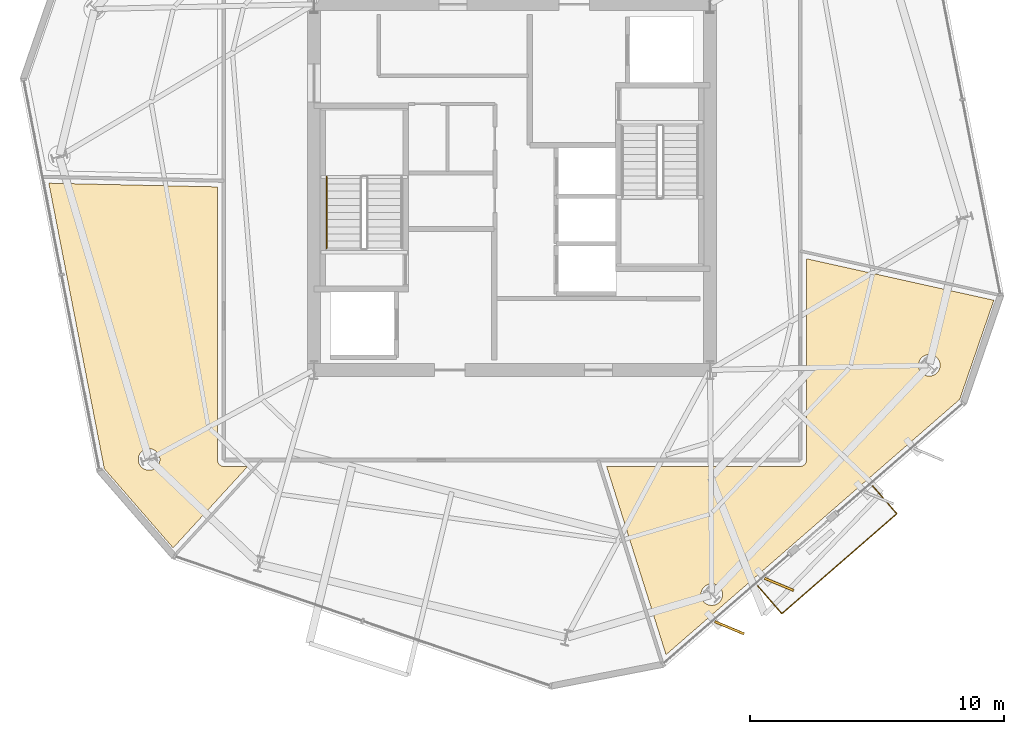
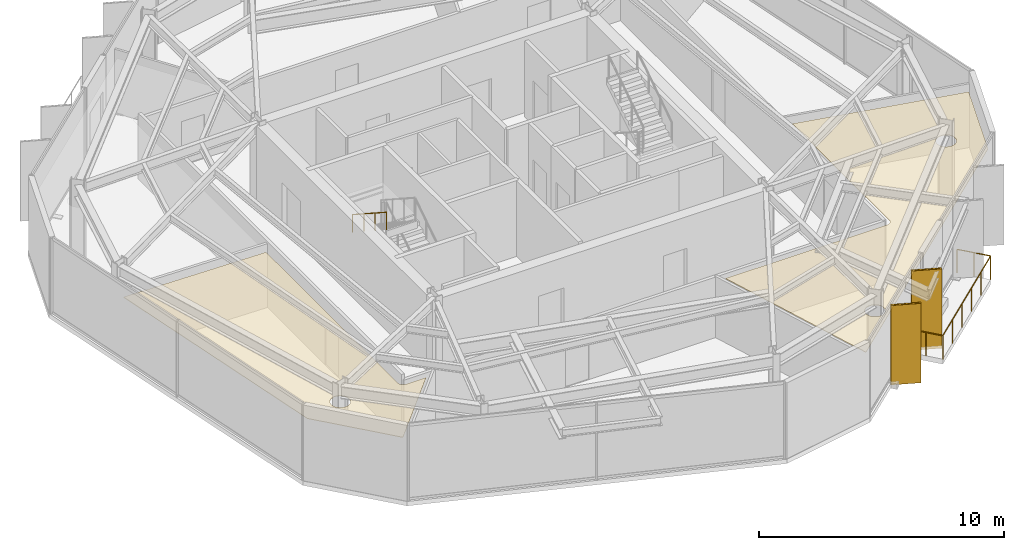
# One storey, part 9 of 11: 4 coverings, 2 railings, 2 shading devices.
"""IFC4 building model written with IfcOpenShell, lengths in metres."""

from ifc_helpers import new_model, si_unit, direction, frame, origin, origin_2d, place, context, subcontext, project, spatial, polyline, rectangle, circle, outline, extrude, material, layer, layer_set, type_object, element, save


model = new_model("IFC4")

# Units and contexts
model_context = context("Model", 3, precision=1e-05, world=origin(), true_north=direction((0.0, 1.0)))
body_context = subcontext(model_context, "Body", "Model", "MODEL_VIEW")
ifc_project = project(units=[si_unit("LENGTHUNIT", "METRE"), si_unit("AREAUNIT", "SQUARE_METRE"), si_unit("VOLUMEUNIT", "CUBIC_METRE"), si_unit("PLANEANGLEUNIT", "RADIAN"), si_unit("MASSUNIT", "GRAM", prefix="KILO")], contexts=[model_context])

# Site, building, storey
site_placement = place(None, origin())
site = spatial("IfcSite", under=ifc_project, at=site_placement, CompositionType="ELEMENT")
building_placement = place(site_placement, origin())
building = spatial("IfcBuilding", under=site, at=building_placement, Name="Kranzbogen Civic Tower", CompositionType="ELEMENT")
storey_placement = place(building_placement, frame((0.0, 0.0, 188.800048828125)))
storey = spatial("IfcBuildingStorey", under=building, at=storey_placement, Name="L45", CompositionType="ELEMENT", Elevation=188.800048828125)

# Coverings
ifc_material_1 = material(Name="Pale Anodised Aluminium", Category="aluminium")
ifc_layer_1 = layer(ifc_material_1, 0.02490234375, Name="Pale Anodised Aluminium")
ifc_layer_set_1 = layer_set([ifc_layer_1], Name="Pale Anodised Aluminium")
covering_type_1 = type_object("IfcCoveringType", Name="Anodised Aluminium Vertical Fin Cladding 25 mm", PredefinedType="CLADDING", material=ifc_layer_set_1)
for number, where, z_axis, x_axis, name in (
    (1, (33.56005859375, 7.64892578125, -0.14013671875), (0.0, 0.0, 1.0), (0.922544824647, -0.385889940938, 0.0), "L45 vertical fin pale-metal cladding F5-1"),
    (2, (35.52197265625, 9.35498046875, -0.14013671875), (0.0, 0.0, 1.0), (0.922544824647, -0.385889940938, 0.0), "L45 vertical fin pale-metal cladding F5-2"),
):
    element("IfcCovering", number, at=place(storey_placement, frame(where, z_axis=z_axis, x_axis=x_axis)), inside=storey, type_object=covering_type_1, Name=name, PredefinedType="CLADDING", context=body_context, shape_type="SweptSolid", body=[
        extrude(rectangle(XDim=1.25, YDim=0.10009765625, at=origin_2d()), origin(), (0.0, 0.0, 1.0), 3.9599609375),
    ])

# Shading devices
ifc_material_2 = material(Name="Anodised Bronze Aluminium", Category="aluminium")
shading_device_type = type_object("IfcShadingDeviceType", Name="Anodised Bronze Vertical Facade Fin 1250x80", PredefinedType="USERDEFINED", material=ifc_material_2)
for number, where, z_axis, x_axis, name in (
    (3, (33.56005859375, 7.64892578125, -0.14013671875), (0.0, 0.0, 1.0), (0.922544824647, -0.385889940938, 0.0), "L45 vertical exterior shading fin F5-1"),
    (4, (35.52197265625, 9.35498046875, -0.14013671875), (0.0, 0.0, 1.0), (0.922544824647, -0.385889940938, 0.0), "L45 vertical exterior shading fin F5-2"),
):
    element("IfcShadingDevice", number, at=place(storey_placement, frame(where, z_axis=z_axis, x_axis=x_axis)), inside=storey, type_object=shading_device_type, Name=name, ObjectType="FIN", PredefinedType="USERDEFINED", context=body_context, shape_type="SweptSolid", body=[
        extrude(rectangle(XDim=1.25, YDim=0.080078125, at=origin_2d()), origin(), (0.0, 0.0, 1.0), 3.9599609375),
    ])

# Railing
railing_type_1 = type_object("IfcRailingType", Name="Cantilevered Balcony Glass and Bronze Balustrade 1200", PredefinedType="BALUSTRADE", material=ifc_material_2)
railing_1_placement = place(storey_placement, frame((34.676025390625, 9.2958984375, 0.0)))
element("IfcRailing", 5, at=railing_1_placement, inside=storey, type_object=railing_type_1, Name="L45 exterior terrace balustrade L45-TB1", PredefinedType="BALUSTRADE", context=body_context, shape_type="SweptSolid", body=[
    extrude(circle(Radius=0.02392578125, at=origin_2d()), frame((0.0, 0.0, 1.17578125), z_axis=(0.656032754625, -0.754732419377, 0.0), x_axis=(0.754732419377, 0.656032754625, 0.0)), (0.0, 0.0, 1.0), 1.449462890625),
    extrude(circle(Radius=0.02392578125, at=origin_2d()), frame((0.950927734375, -1.093994140625, 1.17578125), z_axis=(0.754722900583, 0.656043705354, 0.0), x_axis=(-0.656043705354, 0.754722900583, 0.0)), (0.0, 0.0, 1.0), 5.999755859375),
    extrude(circle(Radius=0.02392578125, at=origin_2d()), frame((5.47900390625, 2.842041015625, 1.17578125), z_axis=(-0.656032754625, 0.754732419377, 0.0), x_axis=(-0.754732419377, -0.656032754625, 0.0)), (0.0, 0.0, 1.0), 1.449462890625),
    extrude(circle(Radius=0.02099609375, at=origin_2d()), origin(), (0.0, 0.0, 1.0), 1.15185546875),
    extrude(circle(Radius=0.02099609375, at=origin_2d()), frame((0.4755859375, -0.546875, 0.0)), (0.0, 0.0, 1.0), 1.15185546875),
    extrude(circle(Radius=0.02099609375, at=origin_2d()), frame((0.950927734375, -1.093994140625, 0.0)), (0.0, 0.0, 1.0), 1.15185546875),
    extrude(circle(Radius=0.02099609375, at=origin_2d()), frame((1.8564453125, -0.306884765625, 0.0)), (0.0, 0.0, 1.0), 1.15185546875),
    extrude(circle(Radius=0.02099609375, at=origin_2d()), frame((2.76220703125, 0.48046875, 0.0)), (0.0, 0.0, 1.0), 1.15185546875),
    extrude(circle(Radius=0.02099609375, at=origin_2d()), frame((3.667724609375, 1.267578125, 0.0)), (0.0, 0.0, 1.0), 1.15185546875),
    extrude(circle(Radius=0.02099609375, at=origin_2d()), frame((4.573486328125, 2.054931640625, 0.0)), (0.0, 0.0, 1.0), 1.15185546875),
    extrude(circle(Radius=0.02099609375, at=origin_2d()), frame((5.47900390625, 2.842041015625, 0.0)), (0.0, 0.0, 1.0), 1.15185546875),
    extrude(circle(Radius=0.02099609375, at=origin_2d()), frame((5.00341796875, 3.38916015625, 0.0)), (0.0, 0.0, 1.0), 1.15185546875),
    extrude(circle(Radius=0.02099609375, at=origin_2d()), frame((4.528076171875, 3.93603515625, 0.0)), (0.0, 0.0, 1.0), 1.15185546875),
])

# Coverings
ifc_material_3 = material(Name="Perforated Acoustic Gypsum Ceiling")
ifc_layer_2 = layer(ifc_material_3, 0.02490234375, Name="Perforated Acoustic Gypsum Ceiling")
ifc_layer_set_2 = layer_set([ifc_layer_2], Name="Perforated Acoustic Gypsum Ceiling")
covering_type_2 = type_object("IfcCoveringType", Name="Perforated Acoustic Mineral Ceiling Tile 25 mm", PredefinedType="CEILING", material=ifc_layer_set_2)
covering_1_placement = place(storey_placement, frame((0.0, 0.0, 2.89990234375)))
element("IfcCovering", 6, at=covering_1_placement, inside=storey, type_object=covering_type_2, Name="L45 Civic Reference Library acoustic ceiling", PredefinedType="CEILING", context=body_context, shape_type="SweptSolid", body=[
    extrude(outline(polyline([(6.760009765625, 25.156005859375), (13.405029296875, 25.010009765625), (13.405029296875, 14.25), (13.405029296875, 14.240966796875), (13.406005859375, 14.235107421875), (13.406982421875, 14.217041015625), (13.407958984375, 14.2109375), (13.412109375, 14.194091796875), (13.4130859375, 14.18701171875), (13.41796875, 14.169921875), (13.419921875, 14.1640625), (13.427001953125, 14.14794921875), (13.429931640625, 14.14208984375), (13.43798828125, 14.126953125), (13.44189453125, 14.12109375), (13.450927734375, 14.10693359375), (13.455078125, 14.10205078125), (13.466064453125, 14.087890625), (13.470947265625, 14.0830078125), (13.48291015625, 14.071044921875), (13.488037109375, 14.06591796875), (13.501953125, 14.054931640625), (13.507080078125, 14.051025390625), (13.52099609375, 14.0419921875), (13.527099609375, 14.0380859375), (13.5419921875, 14.030029296875), (13.548095703125, 14.027099609375), (13.56396484375, 14.02001953125), (13.570068359375, 14.01806640625), (13.5869140625, 14.012939453125), (13.593994140625, 14.011962890625), (13.611083984375, 14.008056640625), (13.616943359375, 14.007080078125), (13.635009765625, 14.006103515625), (13.64111328125, 14.0048828125), (13.64990234375, 14.0048828125), (14.595947265625, 14.0048828125), (11.655029296875, 10.7939453125), (8.946044921875, 13.909912109375), (6.760009765625, 25.156005859375)]), holes=[polyline([(11.10009765625, 14.113037109375), (11.08203125, 14.074951171875), (11.06103515625, 14.0400390625), (11.035888671875, 14.006103515625), (11.008056640625, 13.97509765625), (10.97705078125, 13.947021484375), (10.943115234375, 13.922119140625), (10.907958984375, 13.90087890625), (10.8701171875, 13.883056640625), (10.8310546875, 13.868896484375), (10.7900390625, 13.85888671875), (10.7490234375, 13.85302734375), (10.70703125, 13.85107421875), (10.6650390625, 13.85302734375), (10.6240234375, 13.85888671875), (10.5830078125, 13.868896484375), (10.5439453125, 13.883056640625), (10.506103515625, 13.90087890625), (10.470947265625, 13.922119140625), (10.43701171875, 13.947021484375), (10.406005859375, 13.97509765625), (10.3779296875, 14.006103515625), (10.35302734375, 14.0400390625), (10.33203125, 14.074951171875), (10.31396484375, 14.113037109375), (10.300048828125, 14.152099609375), (10.2900390625, 14.193115234375), (10.283935546875, 14.23388671875), (10.281982421875, 14.27587890625), (10.283935546875, 14.318115234375), (10.2900390625, 14.35888671875), (10.300048828125, 14.39990234375), (10.31396484375, 14.43896484375), (10.33203125, 14.47705078125), (10.35302734375, 14.511962890625), (10.3779296875, 14.5458984375), (10.406005859375, 14.576904296875), (10.43701171875, 14.60498046875), (10.470947265625, 14.6298828125), (10.506103515625, 14.65087890625), (10.5439453125, 14.6689453125), (10.5830078125, 14.68310546875), (10.6240234375, 14.693115234375), (10.6650390625, 14.698974609375), (10.70703125, 14.700927734375), (10.7490234375, 14.698974609375), (10.7900390625, 14.693115234375), (10.8310546875, 14.68310546875), (10.8701171875, 14.6689453125), (10.907958984375, 14.65087890625), (10.943115234375, 14.6298828125), (10.97705078125, 14.60498046875), (11.008056640625, 14.576904296875), (11.035888671875, 14.5458984375), (11.06103515625, 14.511962890625), (11.08203125, 14.47705078125), (11.10009765625, 14.43896484375), (11.114013671875, 14.39990234375), (11.1240234375, 14.35888671875), (11.1298828125, 14.318115234375), (11.132080078125, 14.27587890625), (11.1298828125, 14.23388671875), (11.1240234375, 14.193115234375), (11.114013671875, 14.152099609375), (11.10009765625, 14.113037109375)])]), origin(), (0.0, 0.0, 1.0), 0.025146484375),
])
covering_2_placement = place(storey_placement, frame((0.0, 0.0, 2.89990234375)))
element("IfcCovering", 7, at=covering_2_placement, inside=storey, type_object=covering_type_2, Name="L45 Cultural Screening Clubroom acoustic ceiling", PredefinedType="CEILING", context=body_context, shape_type="SweptSolid", body=[
    extrude(outline(polyline([(31.06591796875, 6.587890625), (28.72607421875, 14.0048828125), (36.35009765625, 14.0048828125), (36.35888671875, 14.0048828125), (36.364990234375, 14.006103515625), (36.383056640625, 14.007080078125), (36.388916015625, 14.008056640625), (36.406005859375, 14.011962890625), (36.4130859375, 14.012939453125), (36.429931640625, 14.01806640625), (36.43603515625, 14.02001953125), (36.451904296875, 14.027099609375), (36.4580078125, 14.030029296875), (36.472900390625, 14.0380859375), (36.47900390625, 14.0419921875), (36.492919921875, 14.051025390625), (36.498046875, 14.054931640625), (36.511962890625, 14.06591796875), (36.51708984375, 14.071044921875), (36.529052734375, 14.0830078125), (36.533935546875, 14.087890625), (36.544921875, 14.10205078125), (36.549072265625, 14.10693359375), (36.55810546875, 14.12109375), (36.56201171875, 14.126953125), (36.570068359375, 14.14208984375), (36.572998046875, 14.14794921875), (36.580078125, 14.1640625), (36.58203125, 14.169921875), (36.5869140625, 14.18701171875), (36.587890625, 14.194091796875), (36.592041015625, 14.2109375), (36.593017578125, 14.217041015625), (36.593994140625, 14.235107421875), (36.594970703125, 14.240966796875), (36.594970703125, 14.25), (36.594970703125, 22.180908203125), (43.97509765625, 20.5458984375), (42.631103515625, 16.64208984375), (31.06591796875, 6.587890625)]), holes=[polyline([(33.260009765625, 8.79296875), (33.241943359375, 8.7548828125), (33.220947265625, 8.719970703125), (33.196044921875, 8.68603515625), (33.16796875, 8.655029296875), (33.136962890625, 8.626953125), (33.10302734375, 8.60205078125), (33.068115234375, 8.5810546875), (33.030029296875, 8.56298828125), (32.990966796875, 8.549072265625), (32.949951171875, 8.5390625), (32.908935546875, 8.532958984375), (32.866943359375, 8.531005859375), (32.824951171875, 8.532958984375), (32.783935546875, 8.5390625), (32.742919921875, 8.549072265625), (32.7041015625, 8.56298828125), (32.666015625, 8.5810546875), (32.631103515625, 8.60205078125), (32.596923828125, 8.626953125), (32.56591796875, 8.655029296875), (32.5380859375, 8.68603515625), (32.512939453125, 8.719970703125), (32.491943359375, 8.7548828125), (32.47412109375, 8.79296875), (32.4599609375, 8.83203125), (32.449951171875, 8.873046875), (32.444091796875, 8.9140625), (32.44189453125, 8.9560546875), (32.444091796875, 8.998046875), (32.449951171875, 9.0390625), (32.4599609375, 9.080078125), (32.47412109375, 9.118896484375), (32.491943359375, 9.156982421875), (32.512939453125, 9.19189453125), (32.5380859375, 9.22607421875), (32.56591796875, 9.257080078125), (32.596923828125, 9.284912109375), (32.631103515625, 9.31005859375), (32.666015625, 9.3310546875), (32.7041015625, 9.34912109375), (32.742919921875, 9.363037109375), (32.783935546875, 9.373046875), (32.824951171875, 9.37890625), (32.866943359375, 9.381103515625), (32.908935546875, 9.37890625), (32.949951171875, 9.373046875), (32.990966796875, 9.363037109375), (33.030029296875, 9.34912109375), (33.068115234375, 9.3310546875), (33.10302734375, 9.31005859375), (33.136962890625, 9.284912109375), (33.16796875, 9.257080078125), (33.196044921875, 9.22607421875), (33.220947265625, 9.19189453125), (33.241943359375, 9.156982421875), (33.260009765625, 9.118896484375), (33.27392578125, 9.080078125), (33.283935546875, 9.0390625), (33.2900390625, 8.998046875), (33.2919921875, 8.9560546875), (33.2900390625, 8.9140625), (33.283935546875, 8.873046875), (33.27392578125, 8.83203125), (33.260009765625, 8.79296875)]), polyline([(41.825927734375, 17.821044921875), (41.80810546875, 17.782958984375), (41.787109375, 17.748046875), (41.761962890625, 17.714111328125), (41.73388671875, 17.68310546875), (41.702880859375, 17.655029296875), (41.6689453125, 17.6298828125), (41.634033203125, 17.60888671875), (41.595947265625, 17.591064453125), (41.556884765625, 17.576904296875), (41.51611328125, 17.56689453125), (41.47509765625, 17.56103515625), (41.43310546875, 17.55908203125), (41.39111328125, 17.56103515625), (41.35009765625, 17.56689453125), (41.30908203125, 17.576904296875), (41.27001953125, 17.591064453125), (41.23193359375, 17.60888671875), (41.197021484375, 17.6298828125), (41.1630859375, 17.655029296875), (41.132080078125, 17.68310546875), (41.10400390625, 17.714111328125), (41.0791015625, 17.748046875), (41.05810546875, 17.782958984375), (41.0400390625, 17.821044921875), (41.02587890625, 17.860107421875), (41.01611328125, 17.90087890625), (41.010009765625, 17.94189453125), (41.008056640625, 17.98388671875), (41.010009765625, 18.02587890625), (41.01611328125, 18.06689453125), (41.02587890625, 18.10791015625), (41.0400390625, 18.14697265625), (41.05810546875, 18.18505859375), (41.0791015625, 18.219970703125), (41.10400390625, 18.25390625), (41.132080078125, 18.284912109375), (41.1630859375, 18.31298828125), (41.197021484375, 18.337890625), (41.23193359375, 18.35888671875), (41.27001953125, 18.376953125), (41.30908203125, 18.39111328125), (41.35009765625, 18.40087890625), (41.39111328125, 18.406982421875), (41.43310546875, 18.408935546875), (41.47509765625, 18.406982421875), (41.51611328125, 18.40087890625), (41.556884765625, 18.39111328125), (41.595947265625, 18.376953125), (41.634033203125, 18.35888671875), (41.6689453125, 18.337890625), (41.702880859375, 18.31298828125), (41.73388671875, 18.284912109375), (41.761962890625, 18.25390625), (41.787109375, 18.219970703125), (41.80810546875, 18.18505859375), (41.825927734375, 18.14697265625), (41.840087890625, 18.10791015625), (41.85009765625, 18.06689453125), (41.85595703125, 18.02587890625), (41.85791015625, 17.98388671875), (41.85595703125, 17.94189453125), (41.85009765625, 17.90087890625), (41.840087890625, 17.860107421875), (41.825927734375, 17.821044921875)])]), origin(), (0.0, 0.0, 1.0), 0.025146484375),
])

# Railing
railing_type_2 = type_object("IfcRailingType", Name="Tubular Stainless Stair Wall Handrail 900", PredefinedType="HANDRAIL", material=ifc_material_1)
railing_2_placement = place(storey_placement, frame((17.699951171875, 25.39990234375, 2.181884765625)))
element("IfcRailing", 8, at=railing_2_placement, inside=storey, type_object=railing_type_2, Name="L45 ST-T1 stair handrail 2", PredefinedType="HANDRAIL", context=body_context, shape_type="SweptSolid", body=[
    extrude(circle(Radius=0.02392578125, at=origin_2d()), frame((0.0, 0.0, 0.8759765625), z_axis=(0.0, -0.83868413941, 0.544618136222), x_axis=(1.0, 0.0, 0.0)), (0.0, 0.0, 1.0), 3.33837890625),
    extrude(circle(Radius=0.02099609375, at=origin_2d()), origin(), (0.0, 0.0, 1.0), 0.851806640625),
    extrude(circle(Radius=0.02099609375, at=origin_2d()), frame((0.0, -0.933349609375, 0.60595703125)), (0.0, 0.0, 1.0), 0.851806640625),
    extrude(circle(Radius=0.02099609375, at=origin_2d()), frame((0.0, -1.866455078125, 1.212158203125)), (0.0, 0.0, 1.0), 0.851806640625),
    extrude(circle(Radius=0.02099609375, at=origin_2d()), frame((0.0, -2.7998046875, 1.818115234375)), (0.0, 0.0, 1.0), 0.851806640625),
])

save(model, "model.ifc")
